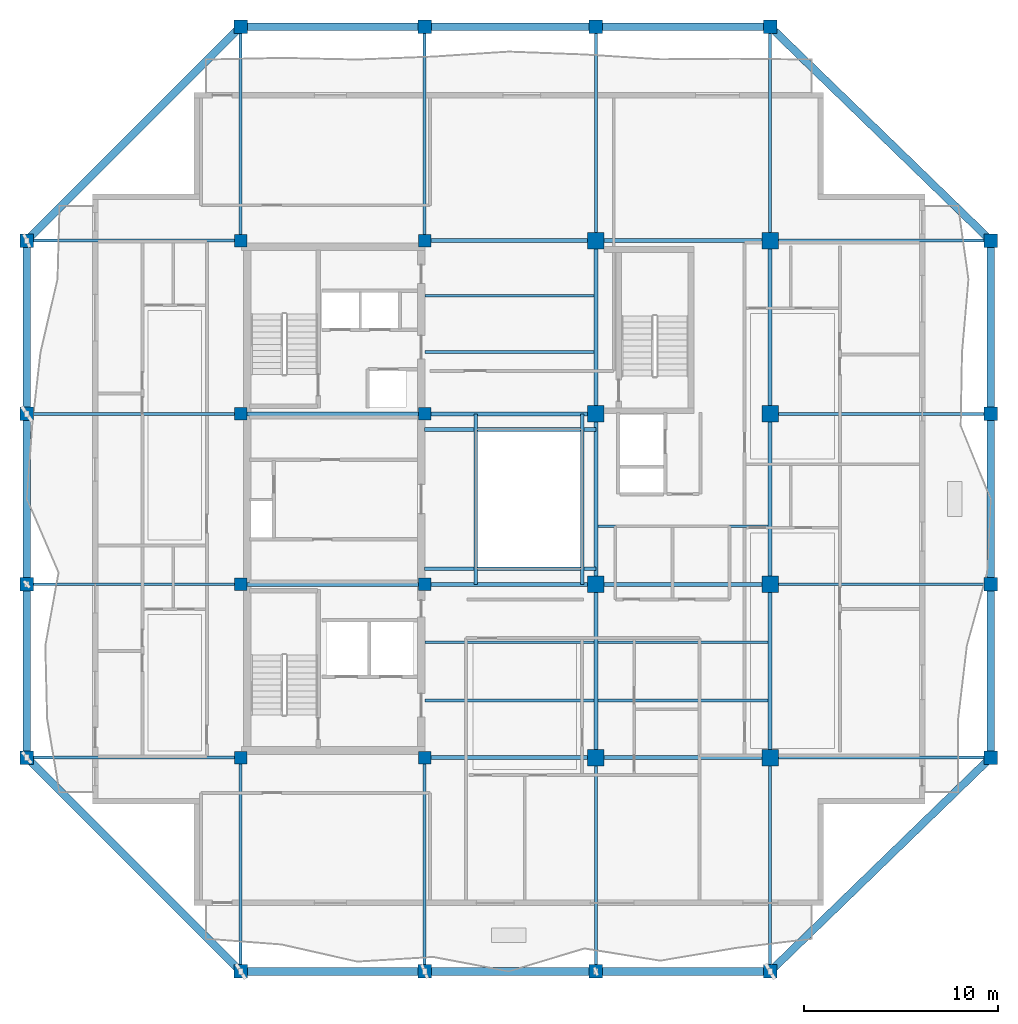
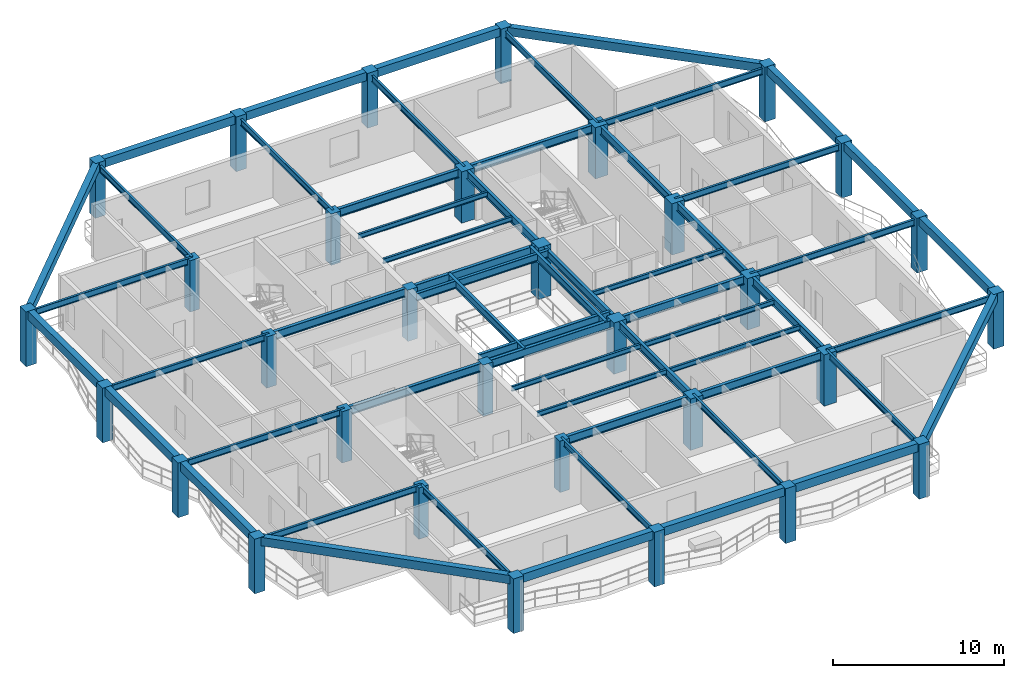
# One storey, part 1 of 12: 58 beams, 32 columns.
"""IFC4 building model written with IfcOpenShell, lengths in metres."""

from ifc_helpers import new_model, si_unit, direction, frame, origin, origin_2d, place, context, subcontext, project, spatial, rectangle, i_section, extrude, material, material_profile, profile_set, type_object, element, save


model = new_model("IFC4")

# Units and contexts
model_context = context("Model", 3, precision=1e-05, world=origin(), true_north=direction((0.0, 1.0)))
body_context = subcontext(model_context, "Body", "Model", "MODEL_VIEW")
ifc_project = project(units=[si_unit("LENGTHUNIT", "METRE"), si_unit("AREAUNIT", "SQUARE_METRE"), si_unit("VOLUMEUNIT", "CUBIC_METRE"), si_unit("PLANEANGLEUNIT", "RADIAN"), si_unit("MASSUNIT", "GRAM", prefix="KILO")], contexts=[model_context])

# Site, building, storey
site_placement = place(None, origin())
site = spatial("IfcSite", under=ifc_project, at=site_placement, CompositionType="ELEMENT")
building_placement = place(site_placement, origin())
building = spatial("IfcBuilding", under=site, at=building_placement, Name="Kundavana Baori Tower", CompositionType="ELEMENT")
storey_placement = place(building_placement, frame((0.0, 0.0, 245.300048828125)))
storey = spatial("IfcBuildingStorey", under=building, at=storey_placement, Name="L60", CompositionType="ELEMENT", Elevation=245.300048828125)

# Columns
ifc_material_1 = material(Name="Concrete C50/60", Category="concrete")
ifc_material_profile_1 = material_profile(ifc_material_1, rectangle(XDim=0.699951171875, YDim=0.699951171875, at=origin_2d()), Name="RC PF 700x700")
ifc_profile_set_1 = profile_set([ifc_material_profile_1], Name="Concrete C50/60")
column_type_1 = type_object("IfcColumnType", Name="COL-PF-700", PredefinedType="COLUMN", material=ifc_profile_set_1)
for number, where, z_axis, x_axis, name in (
    (1, (15.449951171875, 4.199951171875, 0.0), (0.0, 0.0, 1.0), (1.0, 0.0, 0.0), "L60 Stone-Clad Perimeter Frame Column PF-S1"),
    (2, (15.449951171875, 53.0, 0.0), (0.0, 0.0, 1.0), (1.0, 0.0, 0.0), "L60 Stone-Clad Perimeter Frame Column PF-N1"),
    (3, (24.949951171875, 4.199951171875, 0.0), (0.0, 0.0, 1.0), (1.0, 0.0, 0.0), "L60 Stone-Clad Perimeter Frame Column PF-S2"),
    (4, (24.949951171875, 53.0, 0.0), (0.0, 0.0, 1.0), (1.0, 0.0, 0.0), "L60 Stone-Clad Perimeter Frame Column PF-N2"),
    (5, (33.800048828125, 4.199951171875, 0.0), (0.0, 0.0, 1.0), (1.0, 0.0, 0.0), "L60 Stone-Clad Perimeter Frame Column PF-S3"),
    (6, (33.800048828125, 53.0, 0.0), (0.0, 0.0, 1.0), (1.0, 0.0, 0.0), "L60 Stone-Clad Perimeter Frame Column PF-N3"),
    (7, (42.800048828125, 4.199951171875, 0.0), (0.0, 0.0, 1.0), (1.0, 0.0, 0.0), "L60 Stone-Clad Perimeter Frame Column PF-S4"),
    (8, (42.800048828125, 53.0, 0.0), (0.0, 0.0, 1.0), (1.0, 0.0, 0.0), "L60 Stone-Clad Perimeter Frame Column PF-N4"),
    (9, (4.39990234375, 15.25, 0.0), (0.0, 0.0, 1.0), (1.0, 0.0, 0.0), "L60 Stone-Clad Perimeter Frame Column PF-W1"),
    (10, (54.199951171875, 15.25, 0.0), (0.0, 0.0, 1.0), (1.0, 0.0, 0.0), "L60 Stone-Clad Perimeter Frame Column PF-E1"),
    (11, (4.39990234375, 24.199951171875, 0.0), (0.0, 0.0, 1.0), (1.0, 0.0, 0.0), "L60 Stone-Clad Perimeter Frame Column PF-W2"),
    (12, (54.199951171875, 24.199951171875, 0.0), (0.0, 0.0, 1.0), (1.0, 0.0, 0.0), "L60 Stone-Clad Perimeter Frame Column PF-E2"),
    (13, (4.39990234375, 33.0, 0.0), (0.0, 0.0, 1.0), (1.0, 0.0, 0.0), "L60 Stone-Clad Perimeter Frame Column PF-W3"),
    (14, (54.199951171875, 33.0, 0.0), (0.0, 0.0, 1.0), (1.0, 0.0, 0.0), "L60 Stone-Clad Perimeter Frame Column PF-E3"),
    (15, (4.39990234375, 41.949951171875, 0.0), (0.0, 0.0, 1.0), (1.0, 0.0, 0.0), "L60 Stone-Clad Perimeter Frame Column PF-W4"),
    (16, (54.199951171875, 41.949951171875, 0.0), (0.0, 0.0, 1.0), (1.0, 0.0, 0.0), "L60 Stone-Clad Perimeter Frame Column PF-E4"),
):
    element("IfcColumn", number, at=place(storey_placement, frame(where, z_axis=z_axis, x_axis=x_axis)), inside=storey, type_object=column_type_1, Name=name, PredefinedType="COLUMN", context=body_context, shape_type="SweptSolid", body=[
        extrude(rectangle(XDim=0.699951171875, YDim=0.699951171875, at=origin_2d()), origin(), (0.0, 0.0, 1.0), 3.89990234375),
    ])
ifc_material_2 = material(Name="Concrete C50/60", Category="concrete")
ifc_material_profile_2 = material_profile(ifc_material_2, rectangle(XDim=0.64990234375, YDim=0.64990234375, at=origin_2d()), Name="RC 650x650")
ifc_profile_set_2 = profile_set([ifc_material_profile_2], Name="Concrete C50/60")
column_type_2 = type_object("IfcColumnType", Name="COL-RC-650", PredefinedType="COLUMN", material=ifc_profile_set_2)
for number, where, z_axis, x_axis, name in (
    (17, (15.449951171875, 15.25, 0.0), (0.0, 0.0, 1.0), (1.0, 0.0, 0.0), "L60 Interior Column IC-3C"),
    (18, (15.449951171875, 24.199951171875, 0.0), (0.0, 0.0, 1.0), (1.0, 0.0, 0.0), "L60 Interior Column IC-3D"),
    (19, (15.449951171875, 33.0, 0.0), (0.0, 0.0, 1.0), (1.0, 0.0, 0.0), "L60 Interior Column IC-3E"),
    (20, (15.449951171875, 41.949951171875, 0.0), (0.0, 0.0, 1.0), (1.0, 0.0, 0.0), "L60 Interior Column IC-3F"),
    (21, (24.949951171875, 15.25, 0.0), (0.0, 0.0, 1.0), (1.0, 0.0, 0.0), "L60 Interior Column IC-4C"),
    (22, (24.949951171875, 24.199951171875, 0.0), (0.0, 0.0, 1.0), (1.0, 0.0, 0.0), "L60 Interior Column IC-4D"),
    (23, (24.949951171875, 33.0, 0.0), (0.0, 0.0, 1.0), (1.0, 0.0, 0.0), "L60 Interior Column IC-4E"),
    (24, (24.949951171875, 41.949951171875, 0.0), (0.0, 0.0, 1.0), (1.0, 0.0, 0.0), "L60 Interior Column IC-4F"),
):
    element("IfcColumn", number, at=place(storey_placement, frame(where, z_axis=z_axis, x_axis=x_axis)), inside=storey, type_object=column_type_2, Name=name, PredefinedType="COLUMN", context=body_context, shape_type="SweptSolid", body=[
        extrude(rectangle(XDim=0.64990234375, YDim=0.64990234375, at=origin_2d()), origin(), (0.0, 0.0, 1.0), 3.659912109375),
    ])
ifc_material_3 = material(Name="Concrete C50/60", Category="concrete")
ifc_material_profile_3 = material_profile(ifc_material_3, rectangle(XDim=0.85009765625, YDim=0.85009765625, at=origin_2d()), Name="RC 850x850")
ifc_profile_set_3 = profile_set([ifc_material_profile_3], Name="Concrete C50/60")
column_type_3 = type_object("IfcColumnType", Name="COL-RC-850", PredefinedType="COLUMN", material=ifc_profile_set_3)
for number, where, z_axis, x_axis, name in (
    (25, (33.800048828125, 15.25, 0.0), (0.0, 0.0, 1.0), (1.0, 0.0, 0.0), "L60 Interior Column IC-5C"),
    (26, (33.800048828125, 24.199951171875, 0.0), (0.0, 0.0, 1.0), (1.0, 0.0, 0.0), "L60 Interior Column IC-5D"),
    (27, (33.800048828125, 33.0, 0.0), (0.0, 0.0, 1.0), (1.0, 0.0, 0.0), "L60 Interior Column IC-5E"),
    (28, (33.800048828125, 41.949951171875, 0.0), (0.0, 0.0, 1.0), (1.0, 0.0, 0.0), "L60 Interior Column IC-5F"),
    (29, (42.800048828125, 15.25, 0.0), (0.0, 0.0, 1.0), (1.0, 0.0, 0.0), "L60 Interior Column IC-6C"),
    (30, (42.800048828125, 24.199951171875, 0.0), (0.0, 0.0, 1.0), (1.0, 0.0, 0.0), "L60 Interior Column IC-6D"),
    (31, (42.800048828125, 33.0, 0.0), (0.0, 0.0, 1.0), (1.0, 0.0, 0.0), "L60 Interior Column IC-6E"),
    (32, (42.800048828125, 41.949951171875, 0.0), (0.0, 0.0, 1.0), (1.0, 0.0, 0.0), "L60 Interior Column IC-6F"),
):
    element("IfcColumn", number, at=place(storey_placement, frame(where, z_axis=z_axis, x_axis=x_axis)), inside=storey, type_object=column_type_3, Name=name, PredefinedType="COLUMN", context=body_context, shape_type="SweptSolid", body=[
        extrude(rectangle(XDim=0.85009765625, YDim=0.85009765625, at=origin_2d()), origin(), (0.0, 0.0, 1.0), 3.659912109375),
    ])

# Beams
ifc_material_4 = material(Name="Structural Steel S355JR", Category="steel")
ifc_material_profile_4 = material_profile(ifc_material_4, i_section(OverallWidth=0.139892578125, OverallDepth=0.35009765625, WebThickness=0.008056640625, FlangeThickness=0.01416015625, FilletRadius=0.013916015625, at=origin_2d()), Name="ISMB 350")
ifc_profile_set_4 = profile_set([ifc_material_profile_4], Name="Structural Steel S355JR")
beam_type_1 = type_object("IfcBeamType", Name="BM-JST-350", PredefinedType="JOIST", material=ifc_profile_set_4)
for number, where, z_axis, x_axis, name in (
    (33, (24.97998046875, 18.199951171875, 3.48486328125), (1.0, 0.0, 0.0), (0.0, 1.0, 0.0), "L60 Central Bay Composite Floor Joist C1"),
    (34, (24.97998046875, 21.199951171875, 3.48486328125), (1.0, 0.0, 0.0), (0.0, 1.0, 0.0), "L60 Central Bay Composite Floor Joist C2"),
    (35, (24.97998046875, 36.199951171875, 3.48486328125), (1.0, 0.0, 0.0), (0.0, 1.0, 0.0), "L60 Central Bay Composite Floor Joist C3"),
    (36, (24.97998046875, 39.10009765625, 3.48486328125), (1.0, 0.0, 0.0), (0.0, 1.0, 0.0), "L60 Central Bay Composite Floor Joist C4"),
):
    element("IfcBeam", number, at=place(storey_placement, frame(where, z_axis=z_axis, x_axis=x_axis)), inside=storey, type_object=beam_type_1, Name=name, PredefinedType="JOIST", context=body_context, shape_type="SweptSolid", body=[
        extrude(i_section(OverallWidth=0.139892578125, OverallDepth=0.35009765625, WebThickness=0.008056640625, FlangeThickness=0.01416015625, FilletRadius=0.013916015625, at=origin_2d()), origin(), (0.0, 0.0, 1.0), 8.715087890625),
    ])
for number, where, z_axis, x_axis, name in (
    (37, (33.905029296875, 18.199951171875, 3.48486328125), (1.0, 0.0, 0.0), (0.0, 1.0, 0.0), "L60 East Bay Composite Floor Joist E1"),
    (38, (33.905029296875, 21.199951171875, 3.48486328125), (1.0, 0.0, 0.0), (0.0, 1.0, 0.0), "L60 East Bay Composite Floor Joist E2"),
    (39, (33.905029296875, 27.199951171875, 3.48486328125), (1.0, 0.0, 0.0), (0.0, 1.0, 0.0), "L60 East Bay Composite Floor Joist E3"),
):
    element("IfcBeam", number, at=place(storey_placement, frame(where, z_axis=z_axis, x_axis=x_axis)), inside=storey, type_object=beam_type_1, Name=name, PredefinedType="JOIST", context=body_context, shape_type="SweptSolid", body=[
        extrude(i_section(OverallWidth=0.139892578125, OverallDepth=0.35009765625, WebThickness=0.008056640625, FlangeThickness=0.01416015625, FilletRadius=0.013916015625, at=origin_2d()), origin(), (0.0, 0.0, 1.0), 8.7900390625),
    ])
ifc_material_5 = material(Name="Concrete C50/60", Category="concrete")
ifc_material_profile_5 = material_profile(ifc_material_5, rectangle(XDim=0.39990234375, YDim=0.60009765625, at=origin_2d()), Name="RC BM 400x600")
ifc_profile_set_5 = profile_set([ifc_material_profile_5], Name="Concrete C50/60")
beam_type_2 = type_object("IfcBeamType", Name="BM-PF-600", PredefinedType="SPANDREL", material=ifc_profile_set_5)
beam_1_placement = place(storey_placement, frame((15.449951171875, 4.199951171875, 3.599853515625), z_axis=(1.0, 0.0, 0.0), x_axis=(0.0, 1.0, 0.0)))
element("IfcBeam", 40, at=beam_1_placement, inside=storey, type_object=beam_type_2, Name="L60 Perimeter Frame Ring Beam S1", PredefinedType="SPANDREL", context=body_context, shape_type="SweptSolid", body=[
    extrude(rectangle(XDim=0.39990234375, YDim=0.60009765625, at=origin_2d()), origin(), (0.0, 0.0, 1.0), 9.5),
])
beam_2_placement = place(storey_placement, frame((24.949951171875, 4.199951171875, 3.599853515625), z_axis=(1.0, 0.0, 0.0), x_axis=(0.0, 1.0, 0.0)))
element("IfcBeam", 41, at=beam_2_placement, inside=storey, type_object=beam_type_2, Name="L60 Perimeter Frame Ring Beam S2", PredefinedType="SPANDREL", context=body_context, shape_type="SweptSolid", body=[
    extrude(rectangle(XDim=0.39990234375, YDim=0.60009765625, at=origin_2d()), origin(), (0.0, 0.0, 1.0), 8.85009765625),
])
beam_3_placement = place(storey_placement, frame((33.800048828125, 4.199951171875, 3.599853515625), z_axis=(1.0, 0.0, 0.0), x_axis=(0.0, 1.0, 0.0)))
element("IfcBeam", 42, at=beam_3_placement, inside=storey, type_object=beam_type_2, Name="L60 Perimeter Frame Ring Beam S3", PredefinedType="SPANDREL", context=body_context, shape_type="SweptSolid", body=[
    extrude(rectangle(XDim=0.39990234375, YDim=0.60009765625, at=origin_2d()), origin(), (0.0, 0.0, 1.0), 9.0),
])
beam_4_placement = place(storey_placement, frame((15.449951171875, 53.0, 3.599853515625), z_axis=(1.0, 0.0, 0.0), x_axis=(0.0, 1.0, 0.0)))
element("IfcBeam", 43, at=beam_4_placement, inside=storey, type_object=beam_type_2, Name="L60 Perimeter Frame Ring Beam N1", PredefinedType="SPANDREL", context=body_context, shape_type="SweptSolid", body=[
    extrude(rectangle(XDim=0.39990234375, YDim=0.60009765625, at=origin_2d()), origin(), (0.0, 0.0, 1.0), 9.5),
])
beam_5_placement = place(storey_placement, frame((24.949951171875, 53.0, 3.599853515625), z_axis=(1.0, 0.0, 0.0), x_axis=(0.0, 1.0, 0.0)))
element("IfcBeam", 44, at=beam_5_placement, inside=storey, type_object=beam_type_2, Name="L60 Perimeter Frame Ring Beam N2", PredefinedType="SPANDREL", context=body_context, shape_type="SweptSolid", body=[
    extrude(rectangle(XDim=0.39990234375, YDim=0.60009765625, at=origin_2d()), origin(), (0.0, 0.0, 1.0), 8.85009765625),
])
beam_6_placement = place(storey_placement, frame((33.800048828125, 53.0, 3.599853515625), z_axis=(1.0, 0.0, 0.0), x_axis=(0.0, 1.0, 0.0)))
element("IfcBeam", 45, at=beam_6_placement, inside=storey, type_object=beam_type_2, Name="L60 Perimeter Frame Ring Beam N3", PredefinedType="SPANDREL", context=body_context, shape_type="SweptSolid", body=[
    extrude(rectangle(XDim=0.39990234375, YDim=0.60009765625, at=origin_2d()), origin(), (0.0, 0.0, 1.0), 9.0),
])
beam_7_placement = place(storey_placement, frame((4.39990234375, 15.25, 3.599853515625), z_axis=(0.0, 1.0, 0.0), x_axis=(-1.0, 0.0, 0.0)))
element("IfcBeam", 46, at=beam_7_placement, inside=storey, type_object=beam_type_2, Name="L60 Perimeter Frame Ring Beam W1", PredefinedType="SPANDREL", context=body_context, shape_type="SweptSolid", body=[
    extrude(rectangle(XDim=0.39990234375, YDim=0.60009765625, at=origin_2d()), origin(), (0.0, 0.0, 1.0), 8.949951171875),
])
beam_8_placement = place(storey_placement, frame((4.39990234375, 24.199951171875, 3.599853515625), z_axis=(0.0, 1.0, 0.0), x_axis=(-1.0, 0.0, 0.0)))
element("IfcBeam", 47, at=beam_8_placement, inside=storey, type_object=beam_type_2, Name="L60 Perimeter Frame Ring Beam W2", PredefinedType="SPANDREL", context=body_context, shape_type="SweptSolid", body=[
    extrude(rectangle(XDim=0.39990234375, YDim=0.60009765625, at=origin_2d()), origin(), (0.0, 0.0, 1.0), 8.800048828125),
])
for number, where, z_axis, x_axis, name in (
    (48, (4.39990234375, 33.0, 3.599853515625), (0.0, 1.0, 0.0), (-1.0, 0.0, 0.0), "L60 Perimeter Frame Ring Beam W3"),
    (49, (54.199951171875, 15.25, 3.599853515625), (0.0, 1.0, 0.0), (-1.0, 0.0, 0.0), "L60 Perimeter Frame Ring Beam E1"),
):
    element("IfcBeam", number, at=place(storey_placement, frame(where, z_axis=z_axis, x_axis=x_axis)), inside=storey, type_object=beam_type_2, Name=name, PredefinedType="SPANDREL", context=body_context, shape_type="SweptSolid", body=[
        extrude(rectangle(XDim=0.39990234375, YDim=0.60009765625, at=origin_2d()), origin(), (0.0, 0.0, 1.0), 8.949951171875),
    ])
beam_9_placement = place(storey_placement, frame((54.199951171875, 24.199951171875, 3.599853515625), z_axis=(0.0, 1.0, 0.0), x_axis=(-1.0, 0.0, 0.0)))
element("IfcBeam", 50, at=beam_9_placement, inside=storey, type_object=beam_type_2, Name="L60 Perimeter Frame Ring Beam E2", PredefinedType="SPANDREL", context=body_context, shape_type="SweptSolid", body=[
    extrude(rectangle(XDim=0.39990234375, YDim=0.60009765625, at=origin_2d()), origin(), (0.0, 0.0, 1.0), 8.800048828125),
])
beam_10_placement = place(storey_placement, frame((54.199951171875, 33.0, 3.599853515625), z_axis=(0.0, 1.0, 0.0), x_axis=(-1.0, 0.0, 0.0)))
element("IfcBeam", 51, at=beam_10_placement, inside=storey, type_object=beam_type_2, Name="L60 Perimeter Frame Ring Beam E3", PredefinedType="SPANDREL", context=body_context, shape_type="SweptSolid", body=[
    extrude(rectangle(XDim=0.39990234375, YDim=0.60009765625, at=origin_2d()), origin(), (0.0, 0.0, 1.0), 8.949951171875),
])
beam_11_placement = place(storey_placement, frame((15.449951171875, 4.199951171875, 3.599853515625), z_axis=(-0.707106781187, 0.707106781187, 0.0), x_axis=(-0.707106781187, -0.707106781187, 0.0)))
element("IfcBeam", 52, at=beam_11_placement, inside=storey, type_object=beam_type_2, Name="L60 Notched Corner Perimeter Beam SW", PredefinedType="SPANDREL", context=body_context, shape_type="SweptSolid", body=[
    extrude(rectangle(XDim=0.39990234375, YDim=0.60009765625, at=origin_2d()), origin(), (0.0, 0.0, 1.0), 15.627197265625),
])
beam_12_placement = place(storey_placement, frame((42.800048828125, 4.199951171875, 3.599853515625), z_axis=(0.718038944492, 0.696002926857, 0.0), x_axis=(-0.696002926857, 0.718038944492, 0.0)))
element("IfcBeam", 53, at=beam_12_placement, inside=storey, type_object=beam_type_2, Name="L60 Notched Corner Perimeter Beam SE", PredefinedType="SPANDREL", context=body_context, shape_type="SweptSolid", body=[
    extrude(rectangle(XDim=0.39990234375, YDim=0.60009765625, at=origin_2d()), origin(), (0.0, 0.0, 1.0), 15.87646484375),
])
beam_13_placement = place(storey_placement, frame((15.449951171875, 53.0, 3.599853515625), z_axis=(-0.707106781187, -0.707106781187, 0.0), x_axis=(0.707106781187, -0.707106781187, 0.0)))
element("IfcBeam", 54, at=beam_13_placement, inside=storey, type_object=beam_type_2, Name="L60 Notched Corner Perimeter Beam NW", PredefinedType="SPANDREL", context=body_context, shape_type="SweptSolid", body=[
    extrude(rectangle(XDim=0.39990234375, YDim=0.60009765625, at=origin_2d()), origin(), (0.0, 0.0, 1.0), 15.627197265625),
])
beam_14_placement = place(storey_placement, frame((42.800048828125, 53.0, 3.599853515625), z_axis=(0.718038944492, -0.696002926857, 0.0), x_axis=(0.696002926857, 0.718038944492, 0.0)))
element("IfcBeam", 55, at=beam_14_placement, inside=storey, type_object=beam_type_2, Name="L60 Notched Corner Perimeter Beam NE", PredefinedType="SPANDREL", context=body_context, shape_type="SweptSolid", body=[
    extrude(rectangle(XDim=0.39990234375, YDim=0.60009765625, at=origin_2d()), origin(), (0.0, 0.0, 1.0), 15.87646484375),
])
ifc_material_6 = material(Name="Structural Steel S355JR", Category="steel")
ifc_material_profile_6 = material_profile(ifc_material_6, i_section(OverallWidth=0.18994140625, OverallDepth=0.550048828125, WebThickness=0.01123046875, FlangeThickness=0.019287109375, FilletRadius=0.01806640625, at=origin_2d()), Name="ISMB 550")
ifc_profile_set_6 = profile_set([ifc_material_profile_6], Name="Structural Steel S355JR")
beam_type_3 = type_object("IfcBeamType", Name="BM-ST-550", PredefinedType="BEAM", material=ifc_profile_set_6)
for number, where, z_axis, x_axis, name in (
    (56, (27.60009765625, 24.199951171875, 3.385009765625), (0.0, 1.0, 0.0), (-1.0, 0.0, 0.0), "L60 Atrium West Edge Beam"),
    (57, (33.10009765625, 24.199951171875, 3.385009765625), (0.0, 1.0, 0.0), (-1.0, 0.0, 0.0), "L60 Atrium East Edge Beam"),
):
    element("IfcBeam", number, at=place(storey_placement, frame(where, z_axis=z_axis, x_axis=x_axis)), inside=storey, type_object=beam_type_3, Name=name, PredefinedType="BEAM", context=body_context, shape_type="SweptSolid", body=[
        extrude(i_section(OverallWidth=0.18994140625, OverallDepth=0.550048828125, WebThickness=0.01123046875, FlangeThickness=0.019287109375, FilletRadius=0.01806640625, at=origin_2d()), origin(), (0.0, 0.0, 1.0), 8.800048828125),
    ])
for number, where, z_axis, x_axis, name in (
    (58, (24.949951171875, 25.0, 3.385009765625), (1.0, 0.0, 0.0), (0.0, 1.0, 0.0), "L60 Atrium South Edge Beam"),
    (59, (24.949951171875, 32.199951171875, 3.385009765625), (1.0, 0.0, 0.0), (0.0, 1.0, 0.0), "L60 Atrium North Edge Beam"),
):
    element("IfcBeam", number, at=place(storey_placement, frame(where, z_axis=z_axis, x_axis=x_axis)), inside=storey, type_object=beam_type_3, Name=name, PredefinedType="BEAM", context=body_context, shape_type="SweptSolid", body=[
        extrude(i_section(OverallWidth=0.18994140625, OverallDepth=0.550048828125, WebThickness=0.01123046875, FlangeThickness=0.019287109375, FilletRadius=0.01806640625, at=origin_2d()), origin(), (0.0, 0.0, 1.0), 8.85009765625),
    ])
ifc_material_7 = material(Name="Structural Steel S355JR", Category="steel")
ifc_material_profile_7 = material_profile(ifc_material_7, i_section(OverallWidth=0.2099609375, OverallDepth=0.60009765625, WebThickness=0.011962890625, FlangeThickness=0.020751953125, FilletRadius=0.02001953125, at=origin_2d()), Name="ISMB 600")
ifc_profile_set_7 = profile_set([ifc_material_profile_7], Name="Structural Steel S355JR")
beam_type_4 = type_object("IfcBeamType", Name="BM-ST-600", PredefinedType="BEAM", material=ifc_profile_set_7)
beam_15_placement = place(storey_placement, frame((24.949951171875, 15.25, 3.35986328125), z_axis=(1.0, 0.0, 0.0), x_axis=(0.0, 1.0, 0.0)))
element("IfcBeam", 60, at=beam_15_placement, inside=storey, type_object=beam_type_4, Name="L60 Primary Grid Girder GX-1-2", PredefinedType="BEAM", context=body_context, shape_type="SweptSolid", body=[
    extrude(i_section(OverallWidth=0.2099609375, OverallDepth=0.60009765625, WebThickness=0.011962890625, FlangeThickness=0.020751953125, FilletRadius=0.02001953125, at=origin_2d()), origin(), (0.0, 0.0, 1.0), 8.85009765625),
])
beam_16_placement = place(storey_placement, frame((33.800048828125, 15.25, 3.35986328125), z_axis=(1.0, 0.0, 0.0), x_axis=(0.0, 1.0, 0.0)))
element("IfcBeam", 61, at=beam_16_placement, inside=storey, type_object=beam_type_4, Name="L60 Primary Grid Girder GX-1-3", PredefinedType="BEAM", context=body_context, shape_type="SweptSolid", body=[
    extrude(i_section(OverallWidth=0.2099609375, OverallDepth=0.60009765625, WebThickness=0.011962890625, FlangeThickness=0.020751953125, FilletRadius=0.02001953125, at=origin_2d()), origin(), (0.0, 0.0, 1.0), 9.0),
])
beam_17_placement = place(storey_placement, frame((15.449951171875, 24.199951171875, 3.35986328125), z_axis=(1.0, 0.0, 0.0), x_axis=(0.0, 1.0, 0.0)))
element("IfcBeam", 62, at=beam_17_placement, inside=storey, type_object=beam_type_4, Name="L60 Primary Grid Girder GX-2-1", PredefinedType="BEAM", context=body_context, shape_type="SweptSolid", body=[
    extrude(i_section(OverallWidth=0.2099609375, OverallDepth=0.60009765625, WebThickness=0.011962890625, FlangeThickness=0.020751953125, FilletRadius=0.02001953125, at=origin_2d()), origin(), (0.0, 0.0, 1.0), 9.5),
])
beam_18_placement = place(storey_placement, frame((24.949951171875, 24.199951171875, 3.35986328125), z_axis=(1.0, 0.0, 0.0), x_axis=(0.0, 1.0, 0.0)))
element("IfcBeam", 63, at=beam_18_placement, inside=storey, type_object=beam_type_4, Name="L60 Primary Grid Girder GX-2-2", PredefinedType="BEAM", context=body_context, shape_type="SweptSolid", body=[
    extrude(i_section(OverallWidth=0.2099609375, OverallDepth=0.60009765625, WebThickness=0.011962890625, FlangeThickness=0.020751953125, FilletRadius=0.02001953125, at=origin_2d()), origin(), (0.0, 0.0, 1.0), 8.85009765625),
])
beam_19_placement = place(storey_placement, frame((33.800048828125, 24.199951171875, 3.35986328125), z_axis=(1.0, 0.0, 0.0), x_axis=(0.0, 1.0, 0.0)))
element("IfcBeam", 64, at=beam_19_placement, inside=storey, type_object=beam_type_4, Name="L60 Primary Grid Girder GX-2-3", PredefinedType="BEAM", context=body_context, shape_type="SweptSolid", body=[
    extrude(i_section(OverallWidth=0.2099609375, OverallDepth=0.60009765625, WebThickness=0.011962890625, FlangeThickness=0.020751953125, FilletRadius=0.02001953125, at=origin_2d()), origin(), (0.0, 0.0, 1.0), 9.0),
])
beam_20_placement = place(storey_placement, frame((15.449951171875, 33.0, 3.35986328125), z_axis=(1.0, 0.0, 0.0), x_axis=(0.0, 1.0, 0.0)))
element("IfcBeam", 65, at=beam_20_placement, inside=storey, type_object=beam_type_4, Name="L60 Primary Grid Girder GX-3-1", PredefinedType="BEAM", context=body_context, shape_type="SweptSolid", body=[
    extrude(i_section(OverallWidth=0.2099609375, OverallDepth=0.60009765625, WebThickness=0.011962890625, FlangeThickness=0.020751953125, FilletRadius=0.02001953125, at=origin_2d()), origin(), (0.0, 0.0, 1.0), 9.5),
])
for number, where, z_axis, x_axis, name in (
    (66, (24.949951171875, 33.0, 3.35986328125), (1.0, 0.0, 0.0), (0.0, 1.0, 0.0), "L60 Primary Grid Girder GX-3-2"),
    (67, (24.949951171875, 41.949951171875, 3.35986328125), (1.0, 0.0, 0.0), (0.0, 1.0, 0.0), "L60 Primary Grid Girder GX-4-2"),
):
    element("IfcBeam", number, at=place(storey_placement, frame(where, z_axis=z_axis, x_axis=x_axis)), inside=storey, type_object=beam_type_4, Name=name, PredefinedType="BEAM", context=body_context, shape_type="SweptSolid", body=[
        extrude(i_section(OverallWidth=0.2099609375, OverallDepth=0.60009765625, WebThickness=0.011962890625, FlangeThickness=0.020751953125, FilletRadius=0.02001953125, at=origin_2d()), origin(), (0.0, 0.0, 1.0), 8.85009765625),
    ])
beam_21_placement = place(storey_placement, frame((33.800048828125, 41.949951171875, 3.35986328125), z_axis=(1.0, 0.0, 0.0), x_axis=(0.0, 1.0, 0.0)))
element("IfcBeam", 68, at=beam_21_placement, inside=storey, type_object=beam_type_4, Name="L60 Primary Grid Girder GX-4-3", PredefinedType="BEAM", context=body_context, shape_type="SweptSolid", body=[
    extrude(i_section(OverallWidth=0.2099609375, OverallDepth=0.60009765625, WebThickness=0.011962890625, FlangeThickness=0.020751953125, FilletRadius=0.02001953125, at=origin_2d()), origin(), (0.0, 0.0, 1.0), 9.0),
])
beam_22_placement = place(storey_placement, frame((33.800048828125, 15.25, 3.35986328125), z_axis=(0.0, 1.0, 0.0), x_axis=(-1.0, 0.0, 0.0)))
element("IfcBeam", 69, at=beam_22_placement, inside=storey, type_object=beam_type_4, Name="L60 Primary Grid Girder GY-3-1", PredefinedType="BEAM", context=body_context, shape_type="SweptSolid", body=[
    extrude(i_section(OverallWidth=0.2099609375, OverallDepth=0.60009765625, WebThickness=0.011962890625, FlangeThickness=0.020751953125, FilletRadius=0.02001953125, at=origin_2d()), origin(), (0.0, 0.0, 1.0), 8.949951171875),
])
beam_23_placement = place(storey_placement, frame((33.800048828125, 24.199951171875, 3.35986328125), z_axis=(0.0, 1.0, 0.0), x_axis=(-1.0, 0.0, 0.0)))
element("IfcBeam", 70, at=beam_23_placement, inside=storey, type_object=beam_type_4, Name="L60 Primary Grid Girder GY-3-2", PredefinedType="BEAM", context=body_context, shape_type="SweptSolid", body=[
    extrude(i_section(OverallWidth=0.2099609375, OverallDepth=0.60009765625, WebThickness=0.011962890625, FlangeThickness=0.020751953125, FilletRadius=0.02001953125, at=origin_2d()), origin(), (0.0, 0.0, 1.0), 8.800048828125),
])
for number, where, z_axis, x_axis, name in (
    (71, (33.800048828125, 33.0, 3.35986328125), (0.0, 1.0, 0.0), (-1.0, 0.0, 0.0), "L60 Primary Grid Girder GY-3-3"),
    (72, (42.800048828125, 15.25, 3.35986328125), (0.0, 1.0, 0.0), (-1.0, 0.0, 0.0), "L60 Primary Grid Girder GY-4-1"),
):
    element("IfcBeam", number, at=place(storey_placement, frame(where, z_axis=z_axis, x_axis=x_axis)), inside=storey, type_object=beam_type_4, Name=name, PredefinedType="BEAM", context=body_context, shape_type="SweptSolid", body=[
        extrude(i_section(OverallWidth=0.2099609375, OverallDepth=0.60009765625, WebThickness=0.011962890625, FlangeThickness=0.020751953125, FilletRadius=0.02001953125, at=origin_2d()), origin(), (0.0, 0.0, 1.0), 8.949951171875),
    ])
beam_24_placement = place(storey_placement, frame((42.800048828125, 24.199951171875, 3.35986328125), z_axis=(0.0, 1.0, 0.0), x_axis=(-1.0, 0.0, 0.0)))
element("IfcBeam", 73, at=beam_24_placement, inside=storey, type_object=beam_type_4, Name="L60 Primary Grid Girder GY-4-2", PredefinedType="BEAM", context=body_context, shape_type="SweptSolid", body=[
    extrude(i_section(OverallWidth=0.2099609375, OverallDepth=0.60009765625, WebThickness=0.011962890625, FlangeThickness=0.020751953125, FilletRadius=0.02001953125, at=origin_2d()), origin(), (0.0, 0.0, 1.0), 8.800048828125),
])
beam_25_placement = place(storey_placement, frame((42.800048828125, 33.0, 3.35986328125), z_axis=(0.0, 1.0, 0.0), x_axis=(-1.0, 0.0, 0.0)))
element("IfcBeam", 74, at=beam_25_placement, inside=storey, type_object=beam_type_4, Name="L60 Primary Grid Girder GY-4-3", PredefinedType="BEAM", context=body_context, shape_type="SweptSolid", body=[
    extrude(i_section(OverallWidth=0.2099609375, OverallDepth=0.60009765625, WebThickness=0.011962890625, FlangeThickness=0.020751953125, FilletRadius=0.02001953125, at=origin_2d()), origin(), (0.0, 0.0, 1.0), 8.949951171875),
])
ifc_material_8 = material(Name="Structural Steel S355JR", Category="steel")
ifc_material_profile_8 = material_profile(ifc_material_8, i_section(OverallWidth=0.14990234375, OverallDepth=0.449951171875, WebThickness=0.009521484375, FlangeThickness=0.017333984375, FilletRadius=0.014892578125, at=origin_2d()), Name="ISMB 450")
ifc_profile_set_8 = profile_set([ifc_material_profile_8], Name="Structural Steel S355JR")
beam_type_5 = type_object("IfcBeamType", Name="BM-TIE-450", PredefinedType="BEAM", material=ifc_profile_set_8)
for number, where, z_axis, x_axis, name in (
    (75, (15.449951171875, 15.25, 3.43505859375), (0.0, -1.0, 0.0), (1.0, 0.0, 0.0), "L60 South Radial Loggia Tie Beam S1"),
    (76, (15.449951171875, 41.949951171875, 3.43505859375), (0.0, 1.0, 0.0), (-1.0, 0.0, 0.0), "L60 North Radial Loggia Tie Beam N1"),
    (77, (24.949951171875, 15.25, 3.43505859375), (0.0, -1.0, 0.0), (1.0, 0.0, 0.0), "L60 South Radial Loggia Tie Beam S2"),
    (78, (24.949951171875, 41.949951171875, 3.43505859375), (0.0, 1.0, 0.0), (-1.0, 0.0, 0.0), "L60 North Radial Loggia Tie Beam N2"),
    (79, (33.800048828125, 15.25, 3.43505859375), (0.0, -1.0, 0.0), (1.0, 0.0, 0.0), "L60 South Radial Loggia Tie Beam S3"),
    (80, (33.800048828125, 41.949951171875, 3.43505859375), (0.0, 1.0, 0.0), (-1.0, 0.0, 0.0), "L60 North Radial Loggia Tie Beam N3"),
    (81, (42.800048828125, 15.25, 3.43505859375), (0.0, -1.0, 0.0), (1.0, 0.0, 0.0), "L60 South Radial Loggia Tie Beam S4"),
    (82, (42.800048828125, 41.949951171875, 3.43505859375), (0.0, 1.0, 0.0), (-1.0, 0.0, 0.0), "L60 North Radial Loggia Tie Beam N4"),
    (83, (15.449951171875, 15.25, 3.43505859375), (-1.0, 0.0, 0.0), (0.0, -1.0, 0.0), "L60 West Radial Loggia Tie Beam W1"),
):
    element("IfcBeam", number, at=place(storey_placement, frame(where, z_axis=z_axis, x_axis=x_axis)), inside=storey, type_object=beam_type_5, Name=name, PredefinedType="BEAM", context=body_context, shape_type="SweptSolid", body=[
        extrude(i_section(OverallWidth=0.14990234375, OverallDepth=0.449951171875, WebThickness=0.009521484375, FlangeThickness=0.017333984375, FilletRadius=0.014892578125, at=origin_2d()), origin(), (0.0, 0.0, 1.0), 11.050048828125),
    ])
beam_26_placement = place(storey_placement, frame((42.800048828125, 15.25, 3.43505859375), z_axis=(1.0, 0.0, 0.0), x_axis=(0.0, 1.0, 0.0)))
element("IfcBeam", 84, at=beam_26_placement, inside=storey, type_object=beam_type_5, Name="L60 East Radial Loggia Tie Beam E1", PredefinedType="BEAM", context=body_context, shape_type="SweptSolid", body=[
    extrude(i_section(OverallWidth=0.14990234375, OverallDepth=0.449951171875, WebThickness=0.009521484375, FlangeThickness=0.017333984375, FilletRadius=0.014892578125, at=origin_2d()), origin(), (0.0, 0.0, 1.0), 11.39990234375),
])
beam_27_placement = place(storey_placement, frame((15.449951171875, 24.199951171875, 3.43505859375), z_axis=(-1.0, 0.0, 0.0), x_axis=(0.0, -1.0, 0.0)))
element("IfcBeam", 85, at=beam_27_placement, inside=storey, type_object=beam_type_5, Name="L60 West Radial Loggia Tie Beam W2", PredefinedType="BEAM", context=body_context, shape_type="SweptSolid", body=[
    extrude(i_section(OverallWidth=0.14990234375, OverallDepth=0.449951171875, WebThickness=0.009521484375, FlangeThickness=0.017333984375, FilletRadius=0.014892578125, at=origin_2d()), origin(), (0.0, 0.0, 1.0), 11.050048828125),
])
beam_28_placement = place(storey_placement, frame((42.800048828125, 24.199951171875, 3.43505859375), z_axis=(1.0, 0.0, 0.0), x_axis=(0.0, 1.0, 0.0)))
element("IfcBeam", 86, at=beam_28_placement, inside=storey, type_object=beam_type_5, Name="L60 East Radial Loggia Tie Beam E2", PredefinedType="BEAM", context=body_context, shape_type="SweptSolid", body=[
    extrude(i_section(OverallWidth=0.14990234375, OverallDepth=0.449951171875, WebThickness=0.009521484375, FlangeThickness=0.017333984375, FilletRadius=0.014892578125, at=origin_2d()), origin(), (0.0, 0.0, 1.0), 11.39990234375),
])
beam_29_placement = place(storey_placement, frame((15.449951171875, 33.0, 3.43505859375), z_axis=(-1.0, 0.0, 0.0), x_axis=(0.0, -1.0, 0.0)))
element("IfcBeam", 87, at=beam_29_placement, inside=storey, type_object=beam_type_5, Name="L60 West Radial Loggia Tie Beam W3", PredefinedType="BEAM", context=body_context, shape_type="SweptSolid", body=[
    extrude(i_section(OverallWidth=0.14990234375, OverallDepth=0.449951171875, WebThickness=0.009521484375, FlangeThickness=0.017333984375, FilletRadius=0.014892578125, at=origin_2d()), origin(), (0.0, 0.0, 1.0), 11.050048828125),
])
beam_30_placement = place(storey_placement, frame((42.800048828125, 33.0, 3.43505859375), z_axis=(1.0, 0.0, 0.0), x_axis=(0.0, 1.0, 0.0)))
element("IfcBeam", 88, at=beam_30_placement, inside=storey, type_object=beam_type_5, Name="L60 East Radial Loggia Tie Beam E3", PredefinedType="BEAM", context=body_context, shape_type="SweptSolid", body=[
    extrude(i_section(OverallWidth=0.14990234375, OverallDepth=0.449951171875, WebThickness=0.009521484375, FlangeThickness=0.017333984375, FilletRadius=0.014892578125, at=origin_2d()), origin(), (0.0, 0.0, 1.0), 11.39990234375),
])
beam_31_placement = place(storey_placement, frame((15.449951171875, 41.949951171875, 3.43505859375), z_axis=(-1.0, 0.0, 0.0), x_axis=(0.0, -1.0, 0.0)))
element("IfcBeam", 89, at=beam_31_placement, inside=storey, type_object=beam_type_5, Name="L60 West Radial Loggia Tie Beam W4", PredefinedType="BEAM", context=body_context, shape_type="SweptSolid", body=[
    extrude(i_section(OverallWidth=0.14990234375, OverallDepth=0.449951171875, WebThickness=0.009521484375, FlangeThickness=0.017333984375, FilletRadius=0.014892578125, at=origin_2d()), origin(), (0.0, 0.0, 1.0), 11.050048828125),
])
beam_32_placement = place(storey_placement, frame((42.800048828125, 41.949951171875, 3.43505859375), z_axis=(1.0, 0.0, 0.0), x_axis=(0.0, 1.0, 0.0)))
element("IfcBeam", 90, at=beam_32_placement, inside=storey, type_object=beam_type_5, Name="L60 East Radial Loggia Tie Beam E4", PredefinedType="BEAM", context=body_context, shape_type="SweptSolid", body=[
    extrude(i_section(OverallWidth=0.14990234375, OverallDepth=0.449951171875, WebThickness=0.009521484375, FlangeThickness=0.017333984375, FilletRadius=0.014892578125, at=origin_2d()), origin(), (0.0, 0.0, 1.0), 11.39990234375),
])

save(model, "model.ifc")
